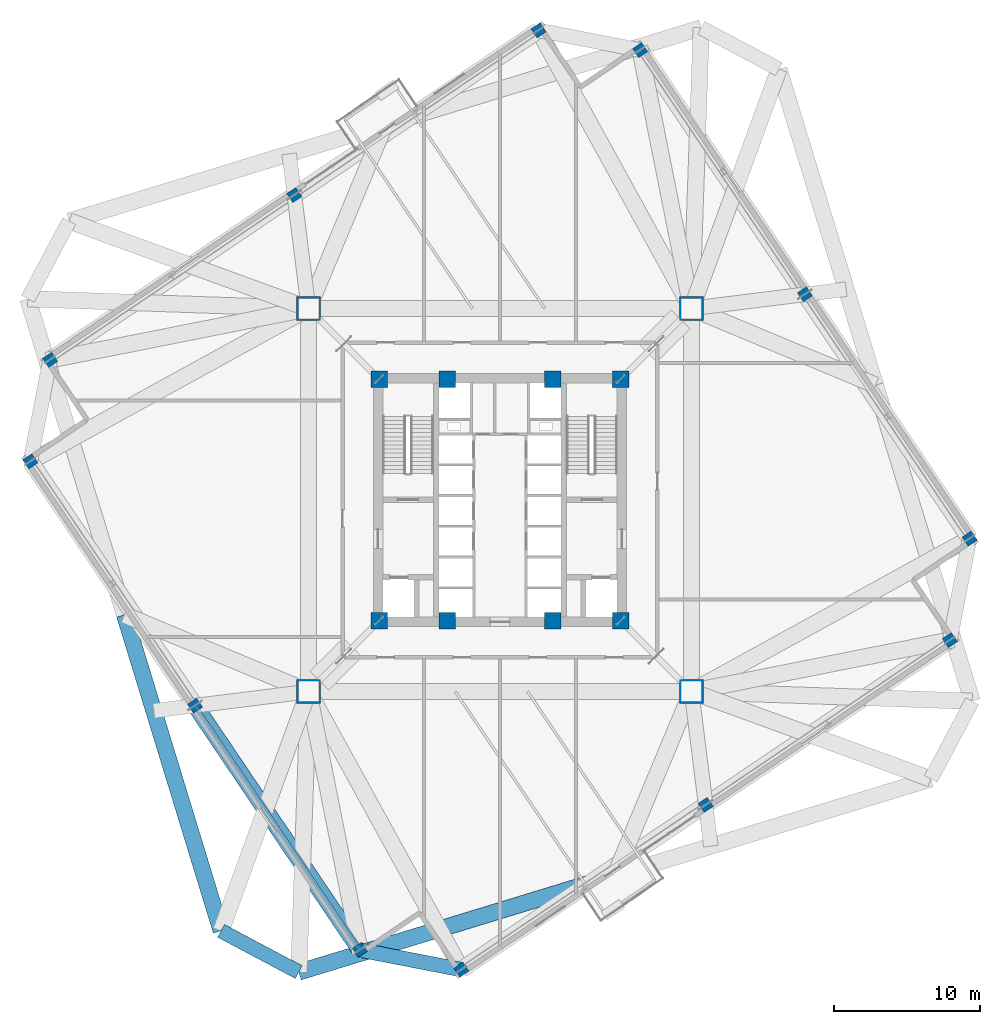
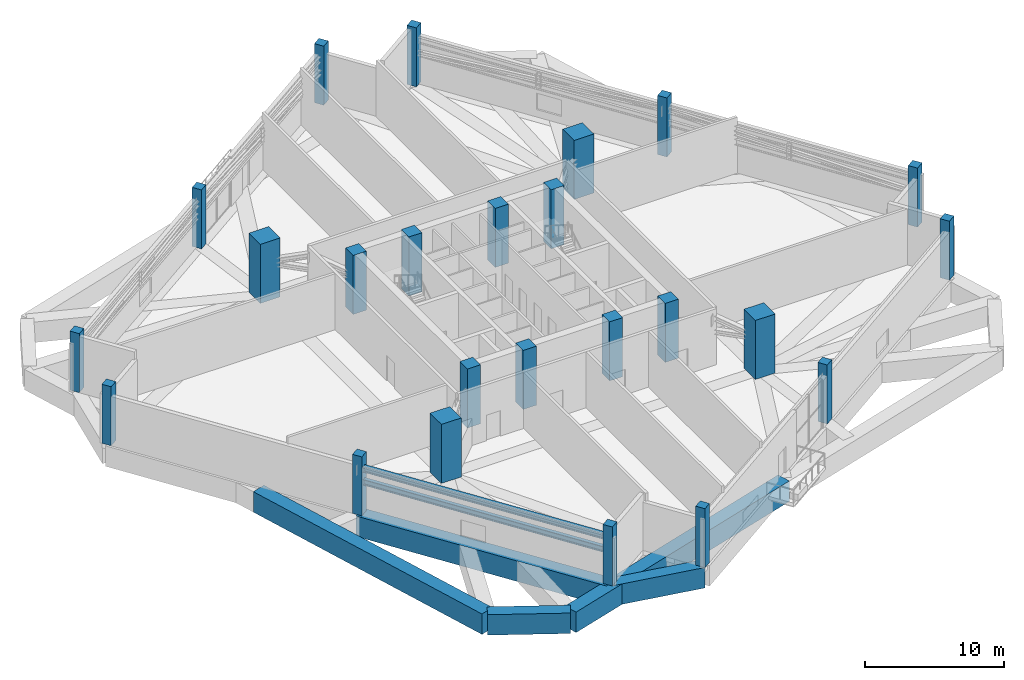
# One storey, part 1 of 21: 24 columns, 5 beams, 2 members.
"""IFC4 building model written with IfcOpenShell, lengths in metres."""

from ifc_helpers import new_model, si_unit, direction, frame, origin, origin_2d, place, context, subcontext, project, spatial, rectangle, i_section, extrude, source, transform, mapped, material, material_profile, profile_set, type_object, element, save


model = new_model("IFC4")

# Units and contexts
model_context = context("Model", 3, precision=1e-05, world=origin(), true_north=direction((0.0, 1.0)))
body_context = subcontext(model_context, "Body", "Model", "MODEL_VIEW")
ifc_project = project(units=[si_unit("LENGTHUNIT", "METRE"), si_unit("AREAUNIT", "SQUARE_METRE"), si_unit("VOLUMEUNIT", "CUBIC_METRE"), si_unit("PLANEANGLEUNIT", "RADIAN"), si_unit("MASSUNIT", "GRAM", prefix="KILO"), si_unit("THERMODYNAMICTEMPERATUREUNIT", "KELVIN")], contexts=[model_context])

# Site, building, storey
site_placement = place(None, origin())
site = spatial("IfcSite", under=ifc_project, at=site_placement, CompositionType="ELEMENT")
building_placement = place(site_placement, origin())
building = spatial("IfcBuilding", under=site, at=building_placement, Name="Kosmvard Interchange Tower", CompositionType="ELEMENT")
storey_placement = place(building_placement, frame((0.0, 0.0, 139.199951171875)))
storey = spatial("IfcBuildingStorey", under=building, at=storey_placement, Name="L33", CompositionType="ELEMENT", Elevation=139.199951171875)

# Columns
ifc_material_1 = material(Name="Concrete C80/95", Category="concrete")
ifc_material_profile_1 = material_profile(ifc_material_1, rectangle(XDim=1.10009765625, YDim=1.10009765625, at=origin_2d()), Name="CP 1100x1100")
ifc_profile_set_1 = profile_set([ifc_material_profile_1], Name="Concrete C80/95")
column_type_1 = type_object("IfcColumnType", Name="Core Boundary Pilaster 1100x1100 C80/95", PredefinedType="PILASTER", material=ifc_profile_set_1)
shared_shape_1 = source(origin(), body_context, "Body", "SweptSolid", [
    extrude(rectangle(XDim=1.10009765625, YDim=1.10009765625, at=origin_2d()), origin(), (0.0, 0.0, 1.0), 5.199951171875),
])
for number, where, z_axis, x_axis, name in (
    (1, (-8.25, -8.25, 0.0), (0.0, 0.0, 1.0), (1.0, 0.0, 0.0), "L33 Core Pilaster CP1"),
    (2, (8.25, -8.25, 0.0), (0.0, 0.0, 1.0), (1.0, 0.0, 0.0), "L33 Core Pilaster CP2"),
    (3, (8.25, 8.25, 0.0), (0.0, 0.0, 1.0), (1.0, 0.0, 0.0), "L33 Core Pilaster CP3"),
    (4, (-8.25, 8.25, 0.0), (0.0, 0.0, 1.0), (1.0, 0.0, 0.0), "L33 Core Pilaster CP4"),
    (5, (-3.60009765625, -8.25, 0.0), (0.0, 0.0, 1.0), (1.0, 0.0, 0.0), "L33 Core Pilaster CP5"),
    (6, (3.60009765625, -8.25, 0.0), (0.0, 0.0, 1.0), (1.0, 0.0, 0.0), "L33 Core Pilaster CP6"),
    (7, (-3.60009765625, 8.25, 0.0), (0.0, 0.0, 1.0), (1.0, 0.0, 0.0), "L33 Core Pilaster CP7"),
    (8, (3.60009765625, 8.25, 0.0), (0.0, 0.0, 1.0), (1.0, 0.0, 0.0), "L33 Core Pilaster CP8"),
):
    element("IfcColumn", number, at=place(storey_placement, frame(where, z_axis=z_axis, x_axis=x_axis)), inside=storey, type_object=column_type_1, Name=name, PredefinedType="PILASTER", context=body_context, shape_type="MappedRepresentation", body=[
        mapped(shared_shape_1, transform((0.0, 0.0, 0.0), scale=1.0)),
    ])
ifc_material_2 = material(Name="Concrete C70/85", Category="concrete")
ifc_material_profile_2 = material_profile(ifc_material_2, rectangle(XDim=1.64990234375, YDim=1.64990234375, at=origin_2d()), Name="MC 1650x1650")
ifc_profile_set_2 = profile_set([ifc_material_profile_2], Name="Concrete C70/85")
column_type_2 = type_object("IfcColumnType", Name="Composite Mega-Column 1650x1650 C70/85", PredefinedType="COLUMN", material=ifc_profile_set_2)
shared_shape_2 = source(origin(), body_context, "Body", "SweptSolid", [
    extrude(rectangle(XDim=1.64990234375, YDim=1.64990234375, at=origin_2d()), origin(), (0.0, 0.0, 1.0), 5.199951171875),
])
for number, where, z_axis, x_axis, name in (
    (9, (-13.0810546875, -13.0810546875, 0.0), (0.0, 0.0, 1.0), (1.0, 0.0, 0.0), "L33 Corner Mega-Column MC1"),
    (10, (13.0810546875, -13.0810546875, 0.0), (0.0, 0.0, 1.0), (1.0, 0.0, 0.0), "L33 Corner Mega-Column MC2"),
    (11, (13.0810546875, 13.0810546875, 0.0), (0.0, 0.0, 1.0), (1.0, 0.0, 0.0), "L33 Corner Mega-Column MC3"),
    (12, (-13.0810546875, 13.0810546875, 0.0), (0.0, 0.0, 1.0), (1.0, 0.0, 0.0), "L33 Corner Mega-Column MC4"),
):
    element("IfcColumn", number, at=place(storey_placement, frame(where, z_axis=z_axis, x_axis=x_axis)), inside=storey, type_object=column_type_2, Name=name, PredefinedType="COLUMN", context=body_context, shape_type="MappedRepresentation", body=[
        mapped(shared_shape_2, transform((0.0, 0.0, 0.0), scale=1.0)),
    ])
ifc_material_3 = material(Name="Concrete C50/60", Category="concrete")
ifc_material_profile_3 = material_profile(ifc_material_3, rectangle(XDim=0.75, YDim=0.75, at=origin_2d()), Name="TC 750x750")
ifc_profile_set_3 = profile_set([ifc_material_profile_3], Name="Concrete C50/60")
column_type_3 = type_object("IfcColumnType", Name="Zone 3 Perimeter Pier Column 750x750 C50/60", PredefinedType="COLUMN", material=ifc_profile_set_3)
shared_shape_3 = source(origin(), body_context, "Body", "SweptSolid", [
    extrude(rectangle(XDim=0.75, YDim=0.75, at=origin_2d()), origin(), (0.0, 0.0, 1.0), 5.199951171875),
])
for number, where, z_axis, x_axis, name in (
    (13, (-2.634765625, -32.083251953125, 0.0), (0.0, 0.0, 1.0), (0.829037572555, 0.559192903471, 0.0), "L33 Perimeter Pier Column TC-S1"),
    (14, (14.0498046875, -20.82958984375, 0.0), (0.0, 0.0, 1.0), (0.829037572555, 0.559192903471, 0.0), "L33 Perimeter Pier Column TC-S2"),
    (15, (30.734130859375, -9.575927734375, 0.0), (0.0, 0.0, 1.0), (0.829037572555, 0.559192903471, 0.0), "L33 Perimeter Pier Column TC-S3"),
    (16, (32.083251953125, -2.634765625, 0.0), (0.0, 0.0, 1.0), (0.829037572555, 0.559192903471, 0.0), "L33 Perimeter Pier Column TC-E1"),
    (17, (20.82958984375, 14.0498046875, 0.0), (0.0, 0.0, 1.0), (0.829037572555, 0.559192903471, 0.0), "L33 Perimeter Pier Column TC-E2"),
    (18, (9.575927734375, 30.734130859375, 0.0), (0.0, 0.0, 1.0), (0.829037572555, 0.559192903471, 0.0), "L33 Perimeter Pier Column TC-E3"),
    (19, (2.634765625, 32.083251953125, 0.0), (0.0, 0.0, 1.0), (0.829037572555, 0.559192903471, 0.0), "L33 Perimeter Pier Column TC-N1"),
    (20, (-14.0498046875, 20.82958984375, 0.0), (0.0, 0.0, 1.0), (0.829037572555, 0.559192903471, 0.0), "L33 Perimeter Pier Column TC-N2"),
    (21, (-30.734130859375, 9.575927734375, 0.0), (0.0, 0.0, 1.0), (0.829037572555, 0.559192903471, 0.0), "L33 Perimeter Pier Column TC-N3"),
    (22, (-32.083251953125, 2.634765625, 0.0), (0.0, 0.0, 1.0), (0.829037572555, 0.559192903471, 0.0), "L33 Perimeter Pier Column TC-W1"),
    (23, (-20.82958984375, -14.0498046875, 0.0), (0.0, 0.0, 1.0), (0.829037572555, 0.559192903471, 0.0), "L33 Perimeter Pier Column TC-W2"),
    (24, (-9.575927734375, -30.734130859375, 0.0), (0.0, 0.0, 1.0), (0.829037572555, 0.559192903471, 0.0), "L33 Perimeter Pier Column TC-W3"),
):
    element("IfcColumn", number, at=place(storey_placement, frame(where, z_axis=z_axis, x_axis=x_axis)), inside=storey, type_object=column_type_3, Name=name, PredefinedType="COLUMN", context=body_context, shape_type="MappedRepresentation", body=[
        mapped(shared_shape_3, transform((0.0, 0.0, 0.0), scale=1.0)),
    ])

# Beams
ifc_material_4 = material(Name="Concrete C60/75", Category="concrete")
ifc_material_profile_4 = material_profile(ifc_material_4, rectangle(XDim=1.1201171875, YDim=1.800048828125, at=origin_2d()), Name="TG 1120x1800")
ifc_profile_set_4 = profile_set([ifc_material_profile_4], Name="Concrete C60/75")
beam_type_1 = type_object("IfcBeamType", Name="Zone Long-Span Transfer Girder 1120x1800 C60/75", PredefinedType="USERDEFINED", material=ifc_profile_set_4)
shared_shape_4 = source(origin(), body_context, "Body", "SweptSolid", [
    extrude(rectangle(XDim=1.1201171875, YDim=1.800048828125, at=origin_2d()), origin(), (0.0, 0.0, 1.0), 22.57470703125),
])
beam_1_placement = place(storey_placement, frame((-13.74560546875, -32.253173828125, -0.89990234375), z_axis=(0.956303368768, 0.292376241995, 0.0), x_axis=(-0.292376241995, 0.956303368768, 0.0)))
element("IfcBeam", 25, at=beam_1_placement, inside=storey, type_object=beam_type_1, Name="BM-L33-LR01", ObjectType="TRANSFER_GIRDER", PredefinedType="USERDEFINED", context=body_context, shape_type="MappedRepresentation", body=[
    mapped(shared_shape_4, transform((0.0, 0.0, 0.0), scale=1.0)),
])
shared_shape_5 = source(origin(), body_context, "Body", "SweptSolid", [
    extrude(rectangle(XDim=1.1201171875, YDim=1.800048828125, at=origin_2d()), origin(), (0.0, 0.0, 1.0), 22.574951171875),
])
beam_2_placement = place(storey_placement, frame((-25.65283203125, -7.8427734375, -0.89990234375), z_axis=(0.292373218222, -0.956304293239, 0.0), x_axis=(0.956304293239, 0.292373218222, 0.0)))
element("IfcBeam", 26, at=beam_2_placement, inside=storey, type_object=beam_type_1, Name="BM-L33-LR11", ObjectType="TRANSFER_GIRDER", PredefinedType="USERDEFINED", context=body_context, shape_type="MappedRepresentation", body=[
    mapped(shared_shape_5, transform((0.0, 0.0, 0.0), scale=1.0)),
])
ifc_material_profile_5 = material_profile(ifc_material_4, rectangle(XDim=1.0, YDim=1.800048828125, at=origin_2d()), Name="TG 1000x1800")
ifc_profile_set_5 = profile_set([ifc_material_profile_5], Name="Concrete C60/75")
beam_type_2 = type_object("IfcBeamType", Name="Zone Transfer Ring Girder 1000x1800 C60/75", PredefinedType="USERDEFINED", material=ifc_profile_set_5)
shared_shape_6 = source(origin(), body_context, "Body", "SweptSolid", [
    extrude(rectangle(XDim=1.0, YDim=1.800048828125, at=origin_2d()), origin(), (0.0, 0.0, 1.0), 6.010498046875),
])
beam_3_placement = place(storey_placement, frame((-19.052490234375, -29.431396484375, -0.89990234375), z_axis=(0.882943685114, -0.469478912111, 0.0), x_axis=(0.469478912111, 0.882943685114, 0.0)))
element("IfcBeam", 27, at=beam_3_placement, inside=storey, type_object=beam_type_2, Name="BM-L33-LR12", ObjectType="TRANSFER_GIRDER", PredefinedType="USERDEFINED", context=body_context, shape_type="MappedRepresentation", body=[
    mapped(shared_shape_6, transform((0.0, 0.0, 0.0), scale=1.0)),
])
shared_shape_7 = source(origin(), body_context, "Body", "SweptSolid", [
    extrude(rectangle(XDim=1.1201171875, YDim=1.800048828125, at=origin_2d()), origin(), (0.0, 0.0, 1.0), 20.125),
])
beam_4_placement = place(storey_placement, frame((-20.82958984375, -14.0498046875, -0.89990234375), z_axis=(0.559190922956, -0.829038908426, 0.0), x_axis=(0.829038908426, 0.559190922956, 0.0)))
element("IfcBeam", 28, at=beam_4_placement, inside=storey, type_object=beam_type_1, Name="BM-L33-PR11", ObjectType="TRANSFER_GIRDER", PredefinedType="USERDEFINED", context=body_context, shape_type="MappedRepresentation", body=[
    mapped(shared_shape_7, transform((0.0, 0.0, 0.0), scale=1.0)),
])
shared_shape_8 = source(origin(), body_context, "Body", "SweptSolid", [
    extrude(rectangle(XDim=1.0, YDim=1.800048828125, at=origin_2d()), origin(), (0.0, 0.0, 1.0), 7.071044921875),
])
beam_5_placement = place(storey_placement, frame((-9.575927734375, -30.734130859375, -0.89990234375), z_axis=(0.981629941956, -0.190794803533, 0.0), x_axis=(0.190794803533, 0.981629941956, 0.0)))
element("IfcBeam", 29, at=beam_5_placement, inside=storey, type_object=beam_type_2, Name="BM-L33-PR12", ObjectType="TRANSFER_GIRDER", PredefinedType="USERDEFINED", context=body_context, shape_type="MappedRepresentation", body=[
    mapped(shared_shape_8, transform((0.0, 0.0, 0.0), scale=1.0)),
])

# Members
ifc_material_5 = material(Name="Steel S460", Category="steel")
ifc_material_profile_6 = material_profile(ifc_material_5, i_section(OverallWidth=0.300048828125, OverallDepth=0.5, WebThickness=0.014404296875, FlangeThickness=0.028076171875, FilletRadius=0.027099609375, at=origin_2d()), Name="HEB 500")
ifc_profile_set_6 = profile_set([ifc_material_profile_6], Name="Steel S460")
member_type = type_object("IfcMemberType", Name="Belt Truss Chord HEB 500 S460", PredefinedType="CHORD", material=ifc_profile_set_6)
shared_shape_9 = source(origin(), body_context, "Body", "SweptSolid", [
    extrude(i_section(OverallWidth=0.300048828125, OverallDepth=0.5, WebThickness=0.014404296875, FlangeThickness=0.028076171875, FilletRadius=0.027099609375, at=origin_2d()), origin(), (0.0, 0.0, 1.0), 20.125),
])
for number, where, z_axis, x_axis, name in (
    (30, (-20.82958984375, -14.0498046875, 2.820068359375), (0.559190922956, -0.829038908426, 0.0), (0.829038908426, 0.559190922956, 0.0), "L33 Belt Truss Bottom Chord W2"),
    (31, (-20.82958984375, -14.0498046875, 3.9599609375), (0.559190922956, -0.829038908426, 0.0), (0.829038908426, 0.559190922956, 0.0), "L33 Belt Truss Top Chord W2"),
):
    element("IfcMember", number, at=place(storey_placement, frame(where, z_axis=z_axis, x_axis=x_axis)), inside=storey, type_object=member_type, Name=name, PredefinedType="CHORD", context=body_context, shape_type="MappedRepresentation", body=[
        mapped(shared_shape_9, transform((0.0, 0.0, 0.0), scale=1.0)),
    ])

save(model, "model.ifc")
